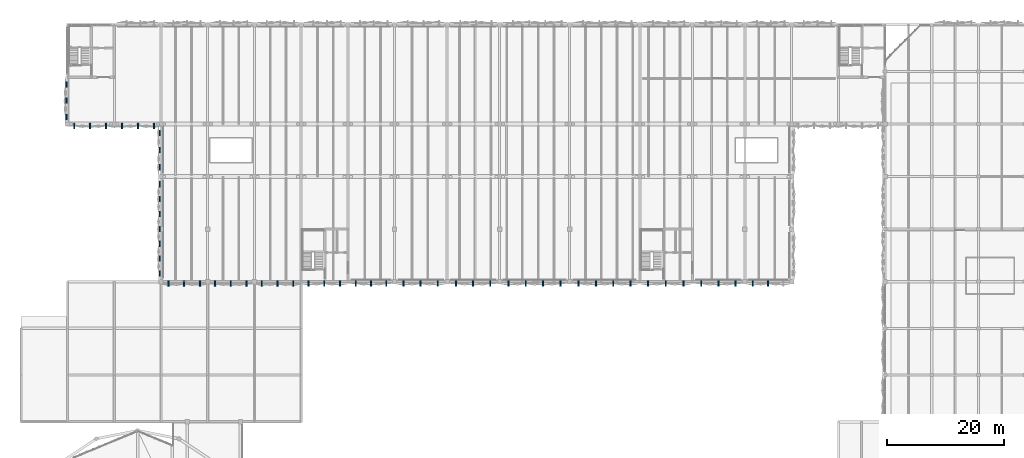
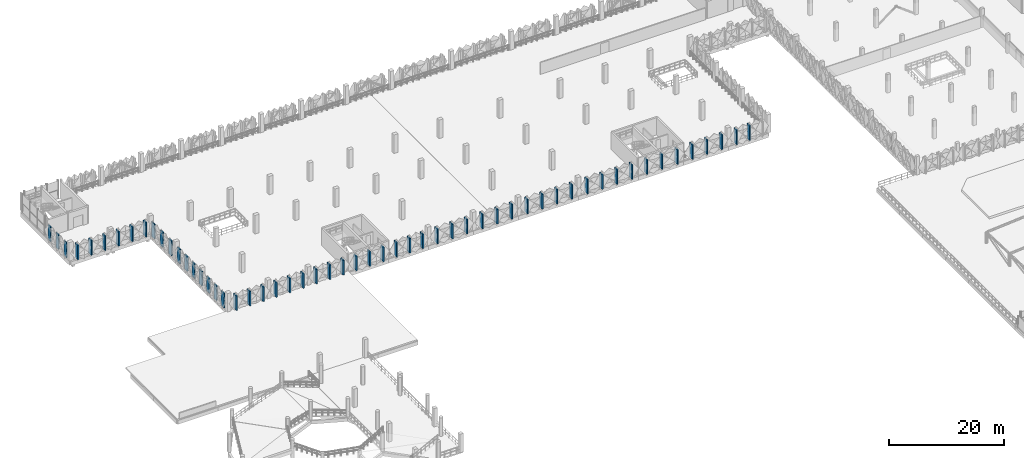
# One storey, part 47 of 76: 56 discrete accessories.
"""IFC4 building model written with IfcOpenShell, lengths in metres."""

from ifc_helpers import new_model, si_unit, derived_unit, direction, frame, origin, origin_2d, place, context, subcontext, project, spatial, rectangle, extrude, material, type_object, element, save


model = new_model("IFC4")

# Units and contexts
model_context = context("Model", 3, precision=1e-05, world=origin(), true_north=direction((0.0, 1.0)))
body_context = subcontext(model_context, "Body", "Model", "MODEL_VIEW")
ifc_project = project(units=[si_unit("LENGTHUNIT", "METRE"), si_unit("AREAUNIT", "SQUARE_METRE"), si_unit("VOLUMEUNIT", "CUBIC_METRE"), si_unit("PLANEANGLEUNIT", "RADIAN"), si_unit("MASSUNIT", "GRAM", prefix="KILO"), si_unit("THERMODYNAMICTEMPERATUREUNIT", "KELVIN"), derived_unit("THERMALTRANSMITTANCEUNIT", [(si_unit("POWERUNIT", "WATT"), 1), (si_unit("AREAUNIT", "SQUARE_METRE"), -1), (si_unit("THERMODYNAMICTEMPERATUREUNIT", "KELVIN"), -1)])], contexts=[model_context])

# Site, building, storey
site_placement = place(None, origin())
site = spatial("IfcSite", under=ifc_project, at=site_placement, CompositionType="ELEMENT")
building_placement = place(site_placement, origin())
building = spatial("IfcBuilding", under=site, at=building_placement, Name="Haiyu Intermodal Mobility Hub", CompositionType="ELEMENT")
storey_placement = place(building_placement, frame((0.0, 0.0, 17.300048828125)))
storey = spatial("IfcBuildingStorey", under=building, at=storey_placement, Name="L04", CompositionType="ELEMENT", Elevation=17.300048828125)

# Discrete accessories
ifc_material = material(Name="Steel Q355C", Category="steel")
discrete_accessory_type = type_object("IfcDiscreteAccessoryType", Name="ACC-BK02", PredefinedType="BRACKET", material=ifc_material)
for number, where, z_axis, x_axis, name in (
    (1, (37.800048828125, 120.68603515625, 0.0498046875), (0.0, 0.0, 1.0), (1.0, 0.0, 0.0), "BRK-PYR-0580"),
    (2, (37.800048828125, 118.136962890625, 0.0498046875), (0.0, 0.0, 1.0), (1.0, 0.0, 0.0), "BRK-PYR-0583"),
    (3, (37.800048828125, 115.589111328125, 0.0498046875), (0.0, 0.0, 1.0), (1.0, 0.0, 0.0), "BRK-PYR-0586"),
    (4, (37.800048828125, 113.0400390625, 0.0498046875), (0.0, 0.0, 1.0), (1.0, 0.0, 0.0), "BRK-PYR-0589"),
    (5, (37.800048828125, 110.490966796875, 0.0498046875), (0.0, 0.0, 1.0), (1.0, 0.0, 0.0), "BRK-PYR-0592"),
    (6, (37.800048828125, 107.943115234375, 0.0498046875), (0.0, 0.0, 1.0), (1.0, 0.0, 0.0), "BRK-PYR-0595"),
    (7, (37.800048828125, 105.39404296875, 0.0498046875), (0.0, 0.0, 1.0), (1.0, 0.0, 0.0), "BRK-PYR-0596"),
    (8, (37.800048828125, 129.487060546875, 0.0498046875), (0.0, 0.0, 1.0), (1.0, 0.0, 0.0), "BRK-PYR-0639"),
    (9, (37.800048828125, 126.5400390625, 0.0498046875), (0.0, 0.0, 1.0), (1.0, 0.0, 0.0), "BRK-PYR-0642"),
    (10, (37.800048828125, 123.593017578125, 0.0498046875), (0.0, 0.0, 1.0), (1.0, 0.0, 0.0), "BRK-PYR-0643"),
    (11, (71.346923828125, 103.659912109375, 0.0498046875), (0.0, 0.0, 1.0), (1.0, 0.0, 0.0), "BRK-PYR-0770"),
    (12, (73.9599609375, 103.659912109375, 0.0498046875), (0.0, 0.0, 1.0), (1.0, 0.0, 0.0), "BRK-PYR-0773"),
    (13, (76.572998046875, 103.659912109375, 0.0498046875), (0.0, 0.0, 1.0), (1.0, 0.0, 0.0), "BRK-PYR-0774"),
    (14, (79.512939453125, 103.659912109375, 0.0498046875), (0.0, 0.0, 1.0), (1.0, 0.0, 0.0), "BRK-PYR-0805"),
    (15, (82.4599609375, 103.659912109375, 0.0498046875), (0.0, 0.0, 1.0), (1.0, 0.0, 0.0), "BRK-PYR-0808"),
    (16, (85.406982421875, 103.659912109375, 0.0498046875), (0.0, 0.0, 1.0), (1.0, 0.0, 0.0), "BRK-PYR-0809"),
    (17, (88.512939453125, 103.659912109375, 0.0498046875), (0.0, 0.0, 1.0), (1.0, 0.0, 0.0), "BRK-PYR-0833"),
    (18, (91.4599609375, 103.659912109375, 0.0498046875), (0.0, 0.0, 1.0), (1.0, 0.0, 0.0), "BRK-PYR-0836"),
    (19, (94.406982421875, 103.659912109375, 0.0498046875), (0.0, 0.0, 1.0), (1.0, 0.0, 0.0), "BRK-PYR-0837"),
    (20, (97.52001953125, 103.659912109375, 0.0498046875), (0.0, 0.0, 1.0), (1.0, 0.0, 0.0), "BRK-PYR-0877"),
    (21, (100.47998046875, 103.659912109375, 0.0498046875), (0.0, 0.0, 1.0), (1.0, 0.0, 0.0), "BRK-PYR-0880"),
    (22, (103.43994140625, 103.659912109375, 0.0498046875), (0.0, 0.0, 1.0), (1.0, 0.0, 0.0), "BRK-PYR-0883"),
    (23, (106.39990234375, 103.659912109375, 0.0498046875), (0.0, 0.0, 1.0), (1.0, 0.0, 0.0), "BRK-PYR-0884"),
    (24, (109.52001953125, 103.659912109375, 0.0498046875), (0.0, 0.0, 1.0), (1.0, 0.0, 0.0), "BRK-PYR-0927"),
    (25, (112.47998046875, 103.659912109375, 0.0498046875), (0.0, 0.0, 1.0), (1.0, 0.0, 0.0), "BRK-PYR-0930"),
    (26, (115.43994140625, 103.659912109375, 0.0498046875), (0.0, 0.0, 1.0), (1.0, 0.0, 0.0), "BRK-PYR-0933"),
    (27, (118.39990234375, 103.659912109375, 0.0498046875), (0.0, 0.0, 1.0), (1.0, 0.0, 0.0), "BRK-PYR-0934"),
    (28, (130.512939453125, 103.659912109375, 0.0498046875), (0.0, 0.0, 1.0), (1.0, 0.0, 0.0), "BRK-PYR-0968"),
    (29, (133.4599609375, 103.659912109375, 0.0498046875), (0.0, 0.0, 1.0), (1.0, 0.0, 0.0), "BRK-PYR-0971"),
    (30, (136.406982421875, 103.659912109375, 0.0498046875), (0.0, 0.0, 1.0), (1.0, 0.0, 0.0), "BRK-PYR-0972"),
    (31, (139.346923828125, 103.659912109375, 0.0498046875), (0.0, 0.0, 1.0), (1.0, 0.0, 0.0), "BRK-PYR-1003"),
    (32, (141.9599609375, 103.659912109375, 0.0498046875), (0.0, 0.0, 1.0), (1.0, 0.0, 0.0), "BRK-PYR-1006"),
    (33, (63.260009765625, 103.659912109375, 0.0498046875), (0.0, 0.0, 1.0), (1.0, 0.0, 0.0), "BRK-PYR-2234"),
    (34, (65.9599609375, 103.659912109375, 0.0498046875), (0.0, 0.0, 1.0), (1.0, 0.0, 0.0), "BRK-PYR-2237"),
    (35, (68.659912109375, 103.659912109375, 0.0498046875), (0.0, 0.0, 1.0), (1.0, 0.0, 0.0), "BRK-PYR-2238"),
    (36, (121.427001953125, 103.659912109375, 0.0498046875), (0.0, 0.0, 1.0), (1.0, 0.0, 0.0), "BRK-PYR-2241"),
    (37, (124.4599609375, 103.659912109375, 0.0498046875), (0.0, 0.0, 1.0), (1.0, 0.0, 0.0), "BRK-PYR-2244"),
    (38, (127.492919921875, 103.659912109375, 0.0498046875), (0.0, 0.0, 1.0), (1.0, 0.0, 0.0), "BRK-PYR-2245"),
    (39, (21.800048828125, 137.757080078125, 0.0498046875), (0.0, 0.0, 1.0), (1.0, 0.0, 0.0), "BRK-PYR-2311"),
    (40, (21.800048828125, 134.989990234375, 0.0498046875), (0.0, 0.0, 1.0), (1.0, 0.0, 0.0), "BRK-PYR-2314"),
    (41, (21.800048828125, 132.222900390625, 0.0498046875), (0.0, 0.0, 1.0), (1.0, 0.0, 0.0), "BRK-PYR-2315"),
    (42, (23.126953125, 130.659912109375, 0.0498046875), (0.0, 0.0, 1.0), (1.0, 0.0, 0.0), "BRK-PYR-2389"),
    (43, (25.860107421875, 130.659912109375, 0.0498046875), (0.0, 0.0, 1.0), (1.0, 0.0, 0.0), "BRK-PYR-2392"),
    (44, (28.593017578125, 130.659912109375, 0.0498046875), (0.0, 0.0, 1.0), (1.0, 0.0, 0.0), "BRK-PYR-2395"),
    (45, (31.326904296875, 130.659912109375, 0.0498046875), (0.0, 0.0, 1.0), (1.0, 0.0, 0.0), "BRK-PYR-2398"),
    (46, (34.06005859375, 130.659912109375, 0.0498046875), (0.0, 0.0, 1.0), (1.0, 0.0, 0.0), "BRK-PYR-2401"),
    (47, (36.79296875, 130.659912109375, 0.0498046875), (0.0, 0.0, 1.0), (1.0, 0.0, 0.0), "BRK-PYR-2402"),
    (48, (39.260009765625, 103.659912109375, 0.0498046875), (0.0, 0.0, 1.0), (1.0, 0.0, 0.0), "BRK-PYR-2537"),
    (49, (41.9599609375, 103.659912109375, 0.0498046875), (0.0, 0.0, 1.0), (1.0, 0.0, 0.0), "BRK-PYR-2540"),
    (50, (44.659912109375, 103.659912109375, 0.0498046875), (0.0, 0.0, 1.0), (1.0, 0.0, 0.0), "BRK-PYR-2541"),
    (51, (47.260009765625, 103.659912109375, 0.0498046875), (0.0, 0.0, 1.0), (1.0, 0.0, 0.0), "BRK-PYR-2544"),
    (52, (49.9599609375, 103.659912109375, 0.0498046875), (0.0, 0.0, 1.0), (1.0, 0.0, 0.0), "BRK-PYR-2547"),
    (53, (52.659912109375, 103.659912109375, 0.0498046875), (0.0, 0.0, 1.0), (1.0, 0.0, 0.0), "BRK-PYR-2548"),
    (54, (55.260009765625, 103.659912109375, 0.0498046875), (0.0, 0.0, 1.0), (1.0, 0.0, 0.0), "BRK-PYR-2551"),
    (55, (57.9599609375, 103.659912109375, 0.0498046875), (0.0, 0.0, 1.0), (1.0, 0.0, 0.0), "BRK-PYR-2554"),
    (56, (60.659912109375, 103.659912109375, 0.0498046875), (0.0, 0.0, 1.0), (1.0, 0.0, 0.0), "BRK-PYR-2555"),
):
    element("IfcDiscreteAccessory", number, at=place(storey_placement, frame(where, z_axis=z_axis, x_axis=x_axis)), inside=storey, type_object=discrete_accessory_type, Name=name, PredefinedType="BRACKET", context=body_context, shape_type="SweptSolid", body=[
        extrude(rectangle(XDim=0.219970703125, YDim=0.949951171875, at=origin_2d()), origin(), (0.0, 0.0, 1.0), 3.10009765625),
    ])

save(model, "model.ifc")
